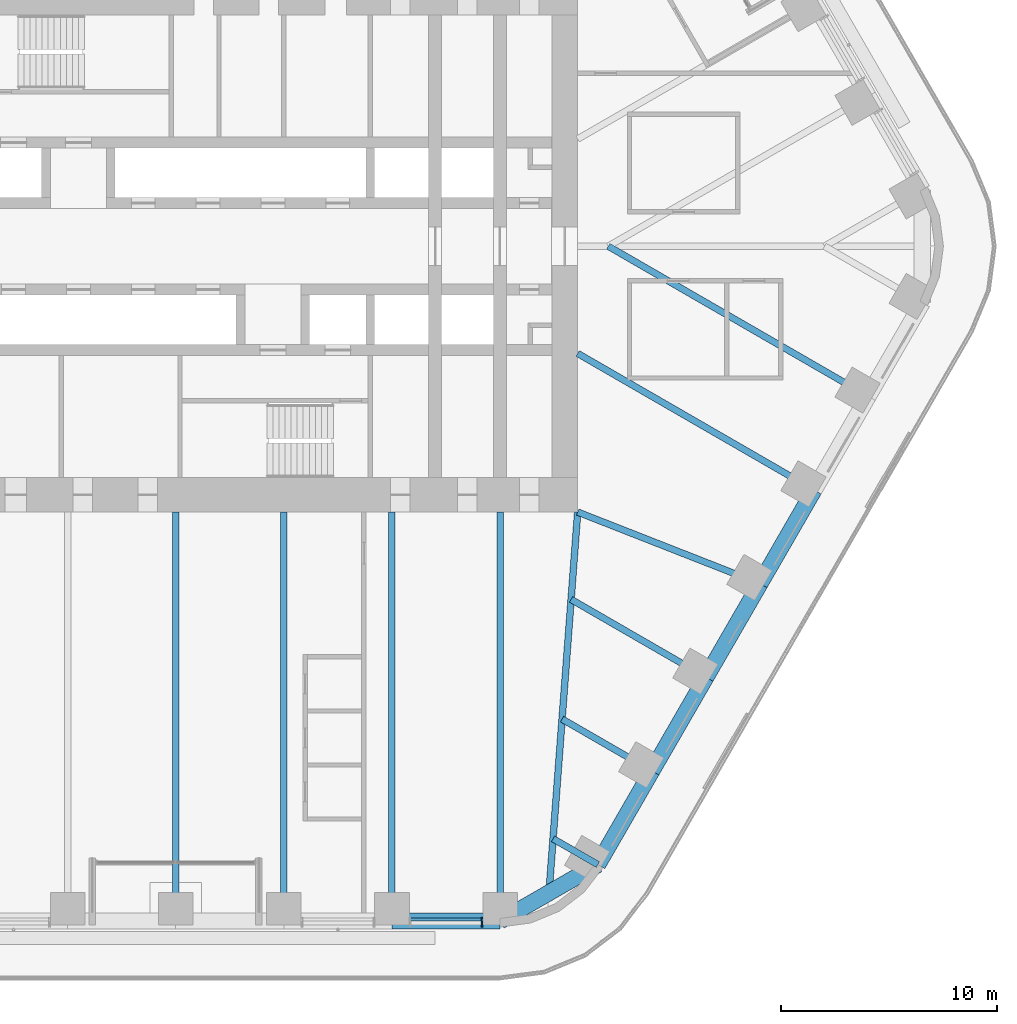
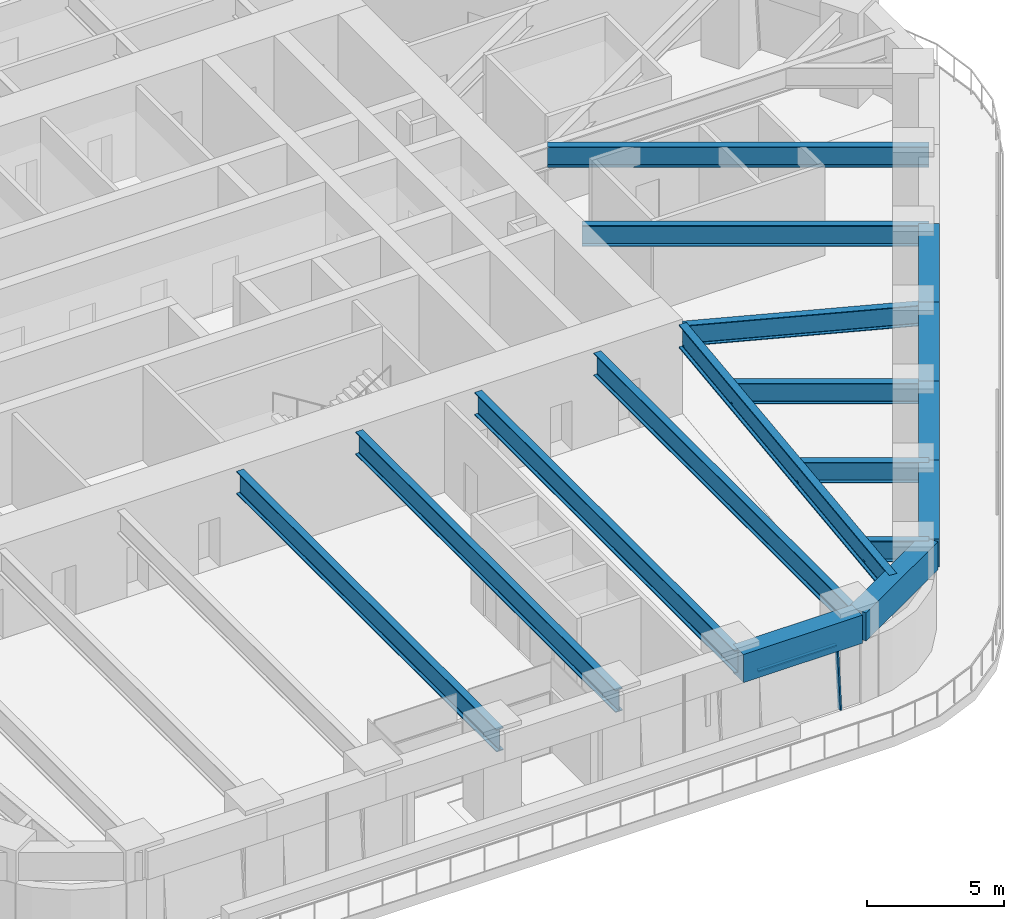
# One storey, part 5 of 24: 17 beams, 2 members, 1 element without a shape of its own.
"""IFC4 building model written with IfcOpenShell, lengths in metres."""

from ifc_helpers import new_model, si_unit, direction, frame, origin, origin_2d, place, context, subcontext, project, spatial, rectangle, i_section, extrude, material, material_profile, profile_set, type_object, element, aggregate, save


model = new_model("IFC4")

# Units and contexts
model_context = context("Model", 3, precision=1e-05, world=origin(), true_north=direction((0.0, 1.0)))
body_context = subcontext(model_context, "Body", "Model", "MODEL_VIEW")
ifc_project = project(units=[si_unit("LENGTHUNIT", "METRE"), si_unit("AREAUNIT", "SQUARE_METRE"), si_unit("VOLUMEUNIT", "CUBIC_METRE"), si_unit("PLANEANGLEUNIT", "RADIAN"), si_unit("MASSUNIT", "GRAM", prefix="KILO")], contexts=[model_context])

# Site, building, storey
site_placement = place(None, origin())
site = spatial("IfcSite", under=ifc_project, at=site_placement, CompositionType="ELEMENT")
building_placement = place(site_placement, origin())
building = spatial("IfcBuilding", under=site, at=building_placement, Name="Tarfa Lantern Tower", CompositionType="ELEMENT")
storey_placement = place(building_placement, frame((0.0, 0.0, 140.5)))
storey = spatial("IfcBuildingStorey", under=building, at=storey_placement, Name="L31", CompositionType="ELEMENT", Elevation=140.5)

# Curtain wall, members
ifc_material_1 = material(Name="Aluminium framed curtain wall", Category="aluminium")
curtain_wall_type = type_object("IfcCurtainWallType", Name="CW2 CANTED GLAZING MID ZONE 2750", PredefinedType="USERDEFINED", material=ifc_material_1)
curtain_wall_placement = place(storey_placement, origin())
curtain_wall = element("IfcCurtainWall", 1, at=curtain_wall_placement, inside=storey, type_object=curtain_wall_type, Name="CW2 SB L31", ObjectType="CURTAIN WALL", PredefinedType="USERDEFINED")
ifc_material_2 = material(Name="Aluminium mullion", Category="aluminium")
ifc_material_profile_1 = material_profile(ifc_material_2, rectangle(XDim=0.06494140625, YDim=0.199951171875, at=origin_2d()), Name="AL MULLION 65x200")
ifc_profile_set_1 = profile_set([ifc_material_profile_1], Name="Aluminium mullion")
member_type_1 = type_object("IfcMemberType", Name="CWM1 MULLION 65x200", PredefinedType="MULLION", material=ifc_profile_set_1)
member_1_placement = place(storey_placement, frame((14.1787109375, -31.39990234375, 0.0), z_axis=(0.0, 0.090535746043, 0.995893206468), x_axis=(-1.0, 0.0, 0.0)))
member_1 = element("IfcMember", 2, at=member_1_placement, type_object=member_type_1, Name="CW2 mullion 2", PredefinedType="MULLION", context=body_context, shape_type="SweptSolid", body=[
    extrude(rectangle(XDim=0.06494140625, YDim=0.199951171875, at=origin_2d()), origin(), (0.0, 0.0, 1.0), 2.76123046875),
])
ifc_material_3 = material(Name="Aluminium transom", Category="aluminium")
ifc_material_profile_2 = material_profile(ifc_material_3, rectangle(XDim=0.14990234375, YDim=0.06494140625, at=origin_2d()), Name="AL TRANSOM 150x65")
ifc_profile_set_2 = profile_set([ifc_material_profile_2], Name="Aluminium transom")
member_type_2 = type_object("IfcMemberType", Name="CWT1 TRANSOM 150x65", PredefinedType="USERDEFINED", material=ifc_profile_set_2)
member_2_placement = place(storey_placement, frame((10.872314453125, -31.153076171875, 2.717529296875), z_axis=(1.0, 0.0, 0.0), x_axis=(0.0, 1.0, 0.0)))
member_2 = element("IfcMember", 3, at=member_2_placement, type_object=member_type_2, Name="CW2 transom 1.2", ObjectType="TRANSOM", PredefinedType="USERDEFINED", context=body_context, shape_type="SweptSolid", body=[
    extrude(rectangle(XDim=0.14990234375, YDim=0.06494140625, at=origin_2d()), origin(), (0.0, 0.0, 1.0), 3.273681640625),
])
aggregate(curtain_wall, [member_1, member_2])

# Beams
ifc_material_4 = material(Name="Concrete C80/95", Category="concrete")
ifc_material_profile_3 = material_profile(ifc_material_4, rectangle(XDim=0.75, YDim=1.25, at=origin_2d()), Name="RC 750x1250")
ifc_profile_set_3 = profile_set([ifc_material_profile_3], Name="Concrete C80/95")
beam_type_1 = type_object("IfcBeamType", Name="EB2 RC 750x1250", PredefinedType="SPANDREL", material=ifc_profile_set_3)
beam_1_placement = place(storey_placement, frame((10.00732421875, -31.219970703125, 3.375), z_axis=(1.0, 0.0, 0.0), x_axis=(0.0, 1.0, 0.0)))
element("IfcBeam", 4, at=beam_1_placement, inside=storey, type_object=beam_type_1, Name="Edge beam S5", PredefinedType="SPANDREL", context=body_context, shape_type="SweptSolid", body=[
    extrude(rectangle(XDim=0.75, YDim=1.25, at=origin_2d()), origin(), (0.0, 0.0, 1.0), 5.003662109375),
])
beam_2_placement = place(storey_placement, frame((15.010986328125, -31.219970703125, 3.375), z_axis=(0.86604150238, 0.499972115377, 0.0), x_axis=(-0.499972115377, 0.86604150238, 0.0)))
element("IfcBeam", 5, at=beam_2_placement, inside=storey, type_object=beam_type_1, Name="Edge beam S6", PredefinedType="SPANDREL", context=body_context, shape_type="SweptSolid", body=[
    extrude(rectangle(XDim=0.75, YDim=1.25, at=origin_2d()), origin(), (0.0, 0.0, 1.0), 5.219970703125),
])
beam_3_placement = place(storey_placement, frame((19.53173828125, -28.610107421875, 3.375), z_axis=(0.500001197378, 0.866024712477, 0.0), x_axis=(-0.866024712477, 0.500001197378, 0.0)))
element("IfcBeam", 6, at=beam_3_placement, inside=storey, type_object=beam_type_1, Name="Edge beam SE0", PredefinedType="SPANDREL", context=body_context, shape_type="SweptSolid", body=[
    extrude(rectangle(XDim=0.75, YDim=1.25, at=origin_2d()), origin(), (0.0, 0.0, 1.0), 5.00390625),
])
for number, where, z_axis, x_axis, name in (
    (7, (22.03369140625, -24.276611328125, 3.375), (0.49998573051, 0.866033642122, 0.0), (-0.866033642122, 0.49998573051, 0.0), "Edge beam SE1"),
    (8, (24.535400390625, -19.943359375, 3.375), (0.500022324899, 0.866012514114, 0.0), (-0.866012514114, 0.500022324899, 0.0), "Edge beam SE2"),
    (9, (27.037353515625, -15.610107421875, 3.375), (0.499964603504, 0.866045838996, 0.0), (-0.866045838996, 0.499964603504, 0.0), "Edge beam SE3"),
):
    element("IfcBeam", number, at=place(storey_placement, frame(where, z_axis=z_axis, x_axis=x_axis)), inside=storey, type_object=beam_type_1, Name=name, PredefinedType="SPANDREL", context=body_context, shape_type="SweptSolid", body=[
        extrude(rectangle(XDim=0.75, YDim=1.25, at=origin_2d()), origin(), (0.0, 0.0, 1.0), 5.003662109375),
    ])
ifc_material_5 = material(Name="Steel S460M", Category="steel")
ifc_material_profile_4 = material_profile(ifc_material_5, i_section(OverallWidth=0.302001953125, OverallDepth=1.008056640625, WebThickness=0.02099609375, FlangeThickness=0.0400390625, FilletRadius=0.030029296875, at=origin_2d()), Name="UB1016x305x349")
ifc_profile_set_4 = profile_set([ifc_material_profile_4], Name="Steel S460M")
beam_type_2 = type_object("IfcBeamType", Name="UB1016x305x349", PredefinedType="BEAM", material=ifc_profile_set_4)
for number, where, z_axis, x_axis, name in (
    (10, (0.0, -31.219970703125, 3.495849609375), (0.0, 1.0, 0.0), (-1.0, 0.0, 0.0), "Floor beam S3"),
    (11, (5.003662109375, -31.219970703125, 3.495849609375), (0.0, 1.0, 0.0), (-1.0, 0.0, 0.0), "Floor beam S4"),
    (12, (10.00732421875, -31.219970703125, 3.495849609375), (0.0, 1.0, 0.0), (-1.0, 0.0, 0.0), "Floor beam S5"),
    (13, (15.010986328125, -31.219970703125, 3.495849609375), (0.0, 1.0, 0.0), (-1.0, 0.0, 0.0), "Floor beam S6"),
):
    element("IfcBeam", number, at=place(storey_placement, frame(where, z_axis=z_axis, x_axis=x_axis)), inside=storey, type_object=beam_type_2, Name=name, PredefinedType="BEAM", context=body_context, shape_type="SweptSolid", body=[
        extrude(i_section(OverallWidth=0.302001953125, OverallDepth=1.008056640625, WebThickness=0.02099609375, FlangeThickness=0.0400390625, FilletRadius=0.030029296875, at=origin_2d()), origin(), (0.0, 0.0, 1.0), 18.919921875),
    ])
ifc_material_profile_5 = material_profile(ifc_material_5, i_section(OverallWidth=0.30859375, OverallDepth=1.036376953125, WebThickness=0.030029296875, FlangeThickness=0.05419921875, FilletRadius=0.030029296875, at=origin_2d()), Name="UB1016x305x487")
ifc_profile_set_5 = profile_set([ifc_material_profile_5], Name="Steel S460M")
beam_type_3 = type_object("IfcBeamType", Name="UB1016x305x487", PredefinedType="BEAM", material=ifc_profile_set_5)
beam_4_placement = place(storey_placement, frame((18.60009765625, -12.300048828125, 3.48193359375), z_axis=(-0.075211516041, -0.99716760269, 0.0), x_axis=(0.99716760269, -0.075211516041, 0.0)))
element("IfcBeam", 14, at=beam_4_placement, inside=storey, type_object=beam_type_3, Name="Hip girder SE", PredefinedType="BEAM", context=body_context, shape_type="SweptSolid", body=[
    extrude(i_section(OverallWidth=0.30859375, OverallDepth=1.036376953125, WebThickness=0.030029296875, FlangeThickness=0.05419921875, FilletRadius=0.030029296875, at=origin_2d()), origin(), (0.0, 0.0, 1.0), 17.6650390625),
])
ifc_material_profile_6 = material_profile(ifc_material_5, i_section(OverallWidth=0.305419921875, OverallDepth=0.91845703125, WebThickness=0.017333984375, FlangeThickness=0.02783203125, FilletRadius=0.01904296875, at=origin_2d()), Name="UB914x305x253")
ifc_profile_set_6 = profile_set([ifc_material_profile_6], Name="Steel S460M")
beam_type_4 = type_object("IfcBeamType", Name="UB914x305x253", PredefinedType="BEAM", material=ifc_profile_set_6)
beam_5_placement = place(storey_placement, frame((19.53173828125, -28.610107421875, 3.540771484375), z_axis=(-0.865998640954, 0.500046351717, 0.0), x_axis=(-0.500046351717, -0.865998640954, 0.0)))
element("IfcBeam", 15, at=beam_5_placement, inside=storey, type_object=beam_type_4, Name="Floor beam SE0", PredefinedType="BEAM", context=body_context, shape_type="SweptSolid", body=[
    extrude(i_section(OverallWidth=0.305419921875, OverallDepth=0.91845703125, WebThickness=0.017333984375, FlangeThickness=0.02783203125, FilletRadius=0.01904296875, at=origin_2d()), origin(), (0.0, 0.0, 1.0), 2.392333984375),
])
beam_6_placement = place(storey_placement, frame((22.03369140625, -24.276611328125, 3.540771484375), z_axis=(-0.866030550462, 0.499991085587, 0.0), x_axis=(-0.499991085587, -0.866030550462, 0.0)))
element("IfcBeam", 16, at=beam_6_placement, inside=storey, type_object=beam_type_4, Name="Floor beam SE1", PredefinedType="BEAM", context=body_context, shape_type="SweptSolid", body=[
    extrude(i_section(OverallWidth=0.305419921875, OverallDepth=0.91845703125, WebThickness=0.017333984375, FlangeThickness=0.02783203125, FilletRadius=0.01904296875, at=origin_2d()), origin(), (0.0, 0.0, 1.0), 4.798828125),
])
beam_7_placement = place(storey_placement, frame((24.535400390625, -19.943359375, 3.540771484375), z_axis=(-0.86602647304, 0.499998147991, 0.0), x_axis=(-0.499998147991, -0.86602647304, 0.0)))
element("IfcBeam", 17, at=beam_7_placement, inside=storey, type_object=beam_type_4, Name="Floor beam SE2", PredefinedType="BEAM", context=body_context, shape_type="SweptSolid", body=[
    extrude(i_section(OverallWidth=0.305419921875, OverallDepth=0.91845703125, WebThickness=0.017333984375, FlangeThickness=0.02783203125, FilletRadius=0.01904296875, at=origin_2d()), origin(), (0.0, 0.0, 1.0), 7.20556640625),
])
beam_8_placement = place(storey_placement, frame((27.037353515625, -15.610107421875, 3.540771484375), z_axis=(-0.930923282782, 0.365214788274, 0.0), x_axis=(-0.365214788274, -0.930923282782, 0.0)))
element("IfcBeam", 18, at=beam_8_placement, inside=storey, type_object=beam_type_4, Name="Floor beam SE3", PredefinedType="BEAM", context=body_context, shape_type="SweptSolid", body=[
    extrude(i_section(OverallWidth=0.305419921875, OverallDepth=0.91845703125, WebThickness=0.017333984375, FlangeThickness=0.02783203125, FilletRadius=0.01904296875, at=origin_2d()), origin(), (0.0, 0.0, 1.0), 9.063232421875),
])
beam_9_placement = place(storey_placement, frame((29.5390625, -11.276611328125, 3.540771484375), z_axis=(-0.866023362995, 0.500003534735, 0.0), x_axis=(-0.500003534735, -0.866023362995, 0.0)))
element("IfcBeam", 19, at=beam_9_placement, inside=storey, type_object=beam_type_4, Name="Floor beam SE4", PredefinedType="BEAM", context=body_context, shape_type="SweptSolid", body=[
    extrude(i_section(OverallWidth=0.305419921875, OverallDepth=0.91845703125, WebThickness=0.017333984375, FlangeThickness=0.02783203125, FilletRadius=0.01904296875, at=origin_2d()), origin(), (0.0, 0.0, 1.0), 12.63134765625),
])
beam_10_placement = place(storey_placement, frame((32.041015625, -6.943359375, 3.540771484375), z_axis=(-0.866023096411, 0.500003996466, 0.0), x_axis=(-0.500003996466, -0.866023096411, 0.0)))
element("IfcBeam", 20, at=beam_10_placement, inside=storey, type_object=beam_type_4, Name="Floor beam SE5", PredefinedType="BEAM", context=body_context, shape_type="SweptSolid", body=[
    extrude(i_section(OverallWidth=0.305419921875, OverallDepth=0.91845703125, WebThickness=0.017333984375, FlangeThickness=0.02783203125, FilletRadius=0.01904296875, at=origin_2d()), origin(), (0.0, 0.0, 1.0), 13.88671875),
])

save(model, "model.ifc")
